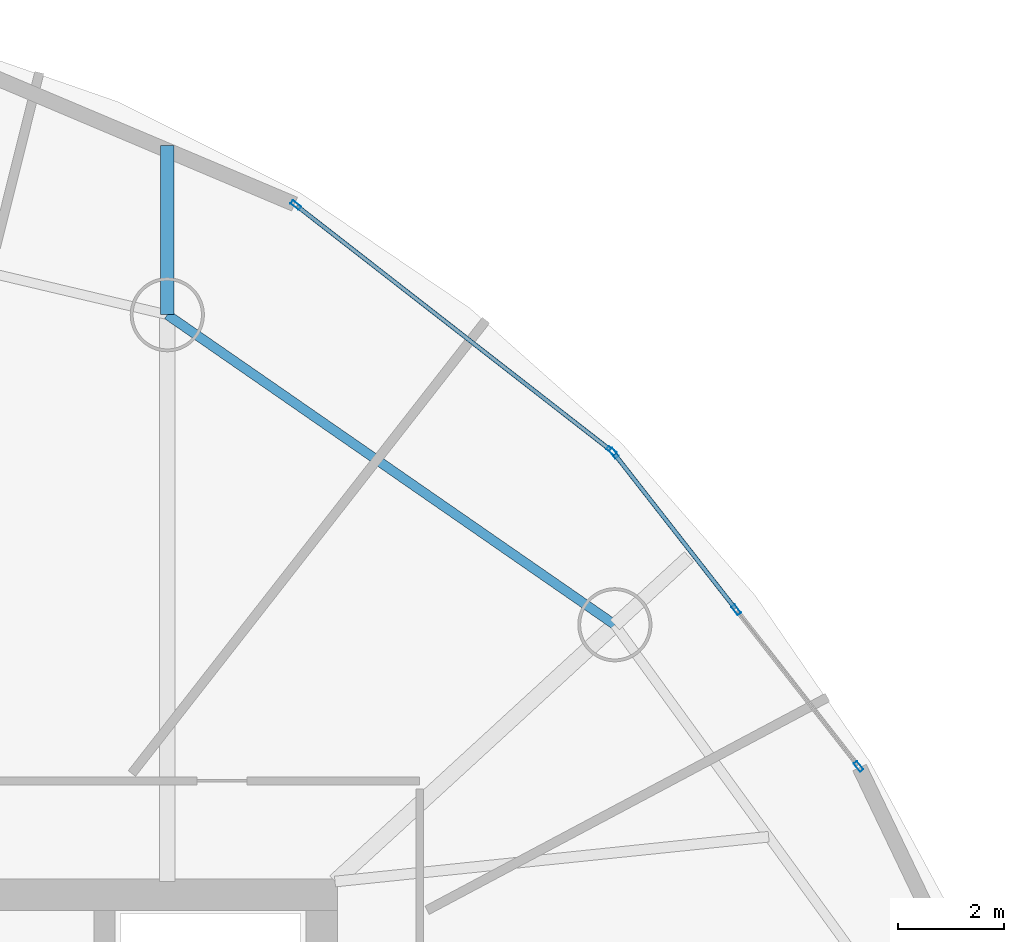
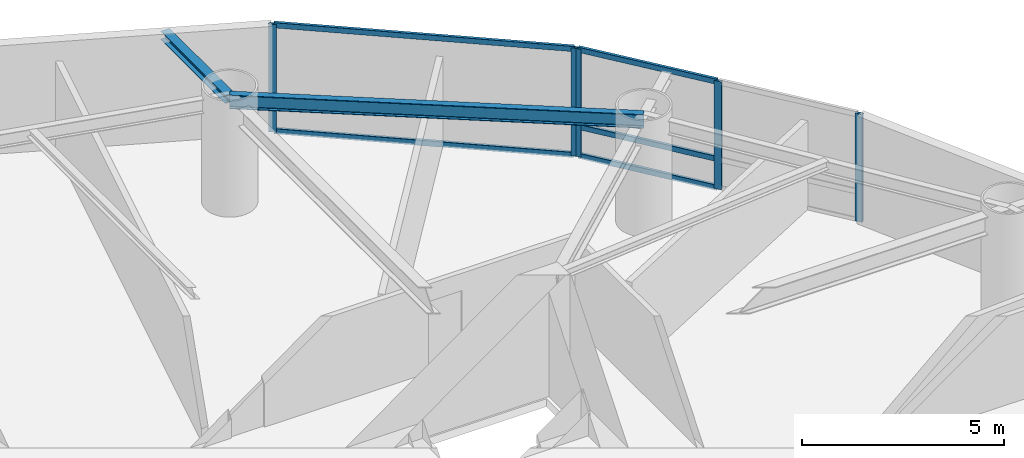
# One storey, part 12 of 20: 10 members, 2 beams, 2 elements without a shape of their own.
"""IFC4 building model written with IfcOpenShell, lengths in metres."""

from ifc_helpers import new_model, si_unit, direction, frame, origin, origin_2d, place, context, subcontext, project, spatial, hollow_rectangle, i_section, extrude, material, layer, layer_set, material_profile, profile_set, type_object, element, aggregate, save


model = new_model("IFC4")

# Units and contexts
model_context = context("Model", 3, precision=1e-05, world=origin(), true_north=direction((0.0, 1.0)))
body_context = subcontext(model_context, "Body", "Model", "MODEL_VIEW")
ifc_project = project(units=[si_unit("LENGTHUNIT", "METRE"), si_unit("AREAUNIT", "SQUARE_METRE"), si_unit("VOLUMEUNIT", "CUBIC_METRE"), si_unit("PLANEANGLEUNIT", "RADIAN"), si_unit("MASSUNIT", "GRAM", prefix="KILO")], contexts=[model_context])

# Site, building, storey
site_placement = place(None, origin())
site = spatial("IfcSite", under=ifc_project, at=site_placement, CompositionType="ELEMENT")
building_placement = place(site_placement, origin())
building = spatial("IfcBuilding", under=site, at=building_placement, Name="Bramvorn Convention Spire", CompositionType="ELEMENT")
storey_placement = place(building_placement, frame((0.0, 0.0, 151.800048828125)))
storey = spatial("IfcBuildingStorey", under=building, at=storey_placement, Name="L38", CompositionType="ELEMENT", Elevation=151.800048828125)

# Beams
ifc_material_1 = material(Name="Steel CSA G40.21 Grade 350 (350W)", Category="steel")
ifc_material_profile_1 = material_profile(ifc_material_1, i_section(OverallWidth=0.25390625, OverallDepth=0.2529296875, WebThickness=0.008544921875, FlangeThickness=0.01416015625, FilletRadius=0.011962890625, at=origin_2d()))
ifc_profile_set_1 = profile_set([ifc_material_profile_1], Name="Steel CSA G40.21 Grade 350 (350W) - W250X73")
beam_type_1 = type_object("IfcBeamType", Name="BM-W250X73", PredefinedType="BEAM", material=ifc_profile_set_1)
beam_1_placement = place(storey_placement, frame((46.082763671875, 44.154052734375, 3.1083984375), z_axis=(0.0, 1.0, 0.0), x_axis=(-1.0, 0.0, 0.0)))
element("IfcBeam", 1, at=beam_1_placement, inside=storey, type_object=beam_type_1, Name="L38 slab-edge cantilever tip beam MC05", PredefinedType="BEAM", context=body_context, shape_type="SweptSolid", body=[
    extrude(i_section(OverallWidth=0.25390625, OverallDepth=0.2529296875, WebThickness=0.008544921875, FlangeThickness=0.01416015625, FilletRadius=0.011962890625, at=origin_2d()), origin(), (0.0, 0.0, 1.0), 3.199951171875),
])
ifc_material_profile_2 = material_profile(ifc_material_1, i_section(OverallWidth=0.180908203125, OverallDepth=0.4169921875, WebThickness=0.010986328125, FlangeThickness=0.018310546875, FilletRadius=0.01611328125, at=origin_2d()))
ifc_profile_set_2 = profile_set([ifc_material_profile_2], Name="Steel CSA G40.21 Grade 350 (350W) - W410X85")
beam_type_2 = type_object("IfcBeamType", Name="BM-W410X85", PredefinedType="JOIST", material=ifc_profile_set_2)
beam_2_placement = place(storey_placement, frame((54.534912109375, 38.299072265625, 3.051513671875), z_axis=(-0.822033166673, 0.569439613032, 0.0), x_axis=(-0.569439613032, -0.822033166673, 0.0)))
element("IfcBeam", 2, at=beam_2_placement, inside=storey, type_object=beam_type_2, Name="L38 mega-column ring beam 04", PredefinedType="JOIST", context=body_context, shape_type="SweptSolid", body=[
    extrude(i_section(OverallWidth=0.180908203125, OverallDepth=0.4169921875, WebThickness=0.010986328125, FlangeThickness=0.018310546875, FilletRadius=0.01611328125, at=origin_2d()), origin(), (0.0, 0.0, 1.0), 10.281982421875),
])

# Curtain wall, members
ifc_material_2 = material(Name="Anodised Bronze Unitised Curtain Wall", Category="aluminium")
ifc_layer = layer(ifc_material_2, 0.179931640625)
ifc_layer_set = layer_set([ifc_layer], Name="Anodised Bronze Unitised Curtain Wall - CW-HTL-FRIT")
curtain_wall_type = type_object("IfcCurtainWallType", Name="CW-HTL-FRIT", PredefinedType="USERDEFINED", material=ifc_layer_set)
curtain_wall_1_placement = place(storey_placement, origin())
curtain_wall_1 = element("IfcCurtainWall", 3, at=curtain_wall_1_placement, inside=storey, type_object=curtain_wall_type, Name="L38 fritted glass curtain wall 05", ObjectType="UNITISED CURTAIN WALL", PredefinedType="USERDEFINED")
ifc_material_3 = material(Name="Anodised Bronze Aluminium 6063-T6", Category="aluminium")
ifc_material_profile_3 = material_profile(ifc_material_3, hollow_rectangle(XDim=0.080078125, YDim=0.199951171875, WallThickness=0.00390625, InnerFilletRadius=0.0009765625, OuterFilletRadius=0.00390625, at=origin_2d()))
ifc_profile_set_3 = profile_set([ifc_material_profile_3], Name="Anodised Bronze Aluminium 6063-T6 - CWM80X200")
member_type_1 = type_object("IfcMemberType", Name="CW-MUL-180", PredefinedType="MULLION", material=ifc_profile_set_3)
member_1_placement = place(storey_placement, frame((54.51513671875, 41.540771484375, 0.0), z_axis=(0.0, 0.0, 1.0), x_axis=(0.78801435882, 0.615656860835, 0.0)))
member_1 = element("IfcMember", 4, at=member_1_placement, type_object=member_type_1, Name="CW2 mullion 1", PredefinedType="MULLION", context=body_context, shape_type="SweptSolid", body=[
    extrude(hollow_rectangle(XDim=0.080078125, YDim=0.199951171875, WallThickness=0.00390625, InnerFilletRadius=0.0009765625, OuterFilletRadius=0.00390625, at=origin_2d()), origin(), (0.0, 0.0, 1.0), 3.260009765625),
])
member_2_placement = place(storey_placement, frame((56.82666015625, 38.582275390625, 0.0), z_axis=(0.0, 0.0, 1.0), x_axis=(0.78801435882, 0.615656860835, 0.0)))
member_2 = element("IfcMember", 5, at=member_2_placement, type_object=member_type_1, Name="CW2 mullion 2", PredefinedType="MULLION", context=body_context, shape_type="SweptSolid", body=[
    extrude(hollow_rectangle(XDim=0.080078125, YDim=0.199951171875, WallThickness=0.00390625, InnerFilletRadius=0.0009765625, OuterFilletRadius=0.00390625, at=origin_2d()), origin(), (0.0, 0.0, 1.0), 3.260009765625),
])
member_3_placement = place(storey_placement, frame((59.13818359375, 35.62353515625, 0.0), z_axis=(0.0, 0.0, 1.0), x_axis=(0.78801435882, 0.615656860835, 0.0)))
member_3 = element("IfcMember", 6, at=member_3_placement, type_object=member_type_1, Name="CW2 mullion 3", PredefinedType="MULLION", context=body_context, shape_type="SweptSolid", body=[
    extrude(hollow_rectangle(XDim=0.080078125, YDim=0.199951171875, WallThickness=0.00390625, InnerFilletRadius=0.0009765625, OuterFilletRadius=0.00390625, at=origin_2d()), origin(), (0.0, 0.0, 1.0), 3.260009765625),
])

curtain_wall_2_placement = place(storey_placement, origin())
curtain_wall_2 = element("IfcCurtainWall", 7, at=curtain_wall_2_placement, inside=storey, type_object=curtain_wall_type, Name="L38 fritted glass curtain wall 06", ObjectType="UNITISED CURTAIN WALL", PredefinedType="USERDEFINED")
member_4_placement = place(storey_placement, frame((48.50927734375, 46.22509765625, 0.0), z_axis=(0.0, 0.0, 1.0), x_axis=(0.614257749133, 0.789105454062, 0.0)))
member_4 = element("IfcMember", 8, at=member_4_placement, type_object=member_type_1, Name="CW2 mullion 1", PredefinedType="MULLION", context=body_context, shape_type="SweptSolid", body=[
    extrude(hollow_rectangle(XDim=0.080078125, YDim=0.199951171875, WallThickness=0.00390625, InnerFilletRadius=0.0009765625, OuterFilletRadius=0.00390625, at=origin_2d()), origin(), (0.0, 0.0, 1.0), 3.260009765625),
])
member_5_placement = place(storey_placement, frame((54.472900390625, 41.5830078125, 0.0), z_axis=(0.0, 0.0, 1.0), x_axis=(0.614257749133, 0.789105454062, 0.0)))
member_5 = element("IfcMember", 9, at=member_5_placement, type_object=member_type_1, Name="CW2 mullion 2", PredefinedType="MULLION", context=body_context, shape_type="SweptSolid", body=[
    extrude(hollow_rectangle(XDim=0.080078125, YDim=0.199951171875, WallThickness=0.00390625, InnerFilletRadius=0.0009765625, OuterFilletRadius=0.00390625, at=origin_2d()), origin(), (0.0, 0.0, 1.0), 3.260009765625),
])

# Member
ifc_material_profile_4 = material_profile(ifc_material_3, hollow_rectangle(XDim=0.080078125, YDim=0.159912109375, WallThickness=0.00390625, InnerFilletRadius=0.0009765625, OuterFilletRadius=0.00390625, at=origin_2d()))
ifc_profile_set_4 = profile_set([ifc_material_profile_4], Name="Anodised Bronze Aluminium 6063-T6 - CWT80X160")
member_type_2 = type_object("IfcMemberType", Name="CW-TRN-150", PredefinedType="USERDEFINED", material=ifc_profile_set_4)
member_6_placement = place(storey_placement, frame((54.533447265625, 41.517333984375, 0.030029296875), z_axis=(0.615668405964, -0.788005338749, 0.0), x_axis=(0.788005338749, 0.615668405964, 0.0)))
member_6 = element("IfcMember", 10, at=member_6_placement, type_object=member_type_2, Name="CW2 transom 1.1", ObjectType="TRANSOM", PredefinedType="USERDEFINED", context=body_context, shape_type="SweptSolid", body=[
    extrude(hollow_rectangle(XDim=0.080078125, YDim=0.159912109375, WallThickness=0.00390625, InnerFilletRadius=0.0009765625, OuterFilletRadius=0.00390625, at=origin_2d()), origin(), (0.0, 0.0, 1.0), 3.694580078125),
])

member_7_placement = place(storey_placement, frame((54.533447265625, 41.517333984375, 0.89990234375), z_axis=(0.615668405964, -0.788005338749, 0.0), x_axis=(0.788005338749, 0.615668405964, 0.0)))
member_7 = element("IfcMember", 11, at=member_7_placement, type_object=member_type_2, Name="CW2 transom 1.2", ObjectType="TRANSOM", PredefinedType="USERDEFINED", context=body_context, shape_type="SweptSolid", body=[
    extrude(hollow_rectangle(XDim=0.080078125, YDim=0.159912109375, WallThickness=0.00390625, InnerFilletRadius=0.0009765625, OuterFilletRadius=0.00390625, at=origin_2d()), origin(), (0.0, 0.0, 1.0), 3.694580078125),
])

member_8_placement = place(storey_placement, frame((54.533447265625, 41.517333984375, 3.22998046875), z_axis=(0.615668405964, -0.788005338749, 0.0), x_axis=(0.788005338749, 0.615668405964, 0.0)))
member_8 = element("IfcMember", 12, at=member_8_placement, type_object=member_type_2, Name="CW2 transom 1.3", ObjectType="TRANSOM", PredefinedType="USERDEFINED", context=body_context, shape_type="SweptSolid", body=[
    extrude(hollow_rectangle(XDim=0.080078125, YDim=0.159912109375, WallThickness=0.00390625, InnerFilletRadius=0.0009765625, OuterFilletRadius=0.00390625, at=origin_2d()), origin(), (0.0, 0.0, 1.0), 3.694580078125),
])

aggregate(curtain_wall_1, [member_1, member_2, member_3, member_6, member_7, member_8])

member_9_placement = place(storey_placement, frame((48.532958984375, 46.206787109375, 0.030029296875), z_axis=(0.789097908218, -0.614267442769, 0.0), x_axis=(0.614267442769, 0.789097908218, 0.0)))
member_9 = element("IfcMember", 13, at=member_9_placement, type_object=member_type_2, Name="CW2 transom 1.1", ObjectType="TRANSOM", PredefinedType="USERDEFINED", context=body_context, shape_type="SweptSolid", body=[
    extrude(hollow_rectangle(XDim=0.080078125, YDim=0.159912109375, WallThickness=0.00390625, InnerFilletRadius=0.0009765625, OuterFilletRadius=0.00390625, at=origin_2d()), origin(), (0.0, 0.0, 1.0), 7.49755859375),
])

member_10_placement = place(storey_placement, frame((48.532958984375, 46.206787109375, 3.22998046875), z_axis=(0.789097908218, -0.614267442769, 0.0), x_axis=(0.614267442769, 0.789097908218, 0.0)))
member_10 = element("IfcMember", 14, at=member_10_placement, type_object=member_type_2, Name="CW2 transom 1.2", ObjectType="TRANSOM", PredefinedType="USERDEFINED", context=body_context, shape_type="SweptSolid", body=[
    extrude(hollow_rectangle(XDim=0.080078125, YDim=0.159912109375, WallThickness=0.00390625, InnerFilletRadius=0.0009765625, OuterFilletRadius=0.00390625, at=origin_2d()), origin(), (0.0, 0.0, 1.0), 7.49755859375),
])

aggregate(curtain_wall_2, [member_4, member_5, member_9, member_10])

save(model, "model.ifc")
